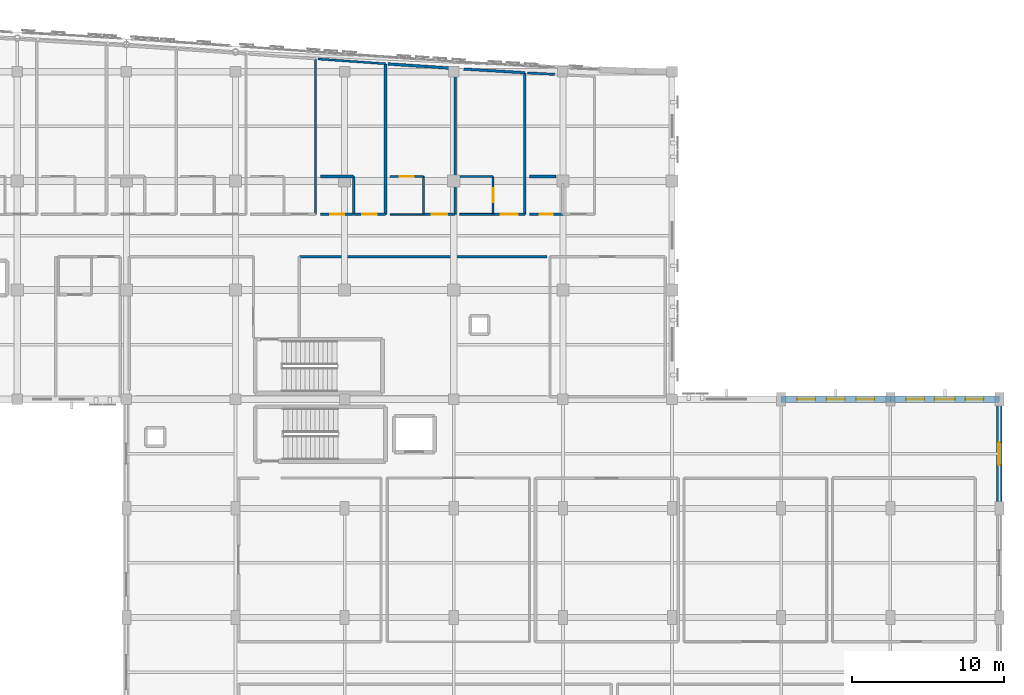
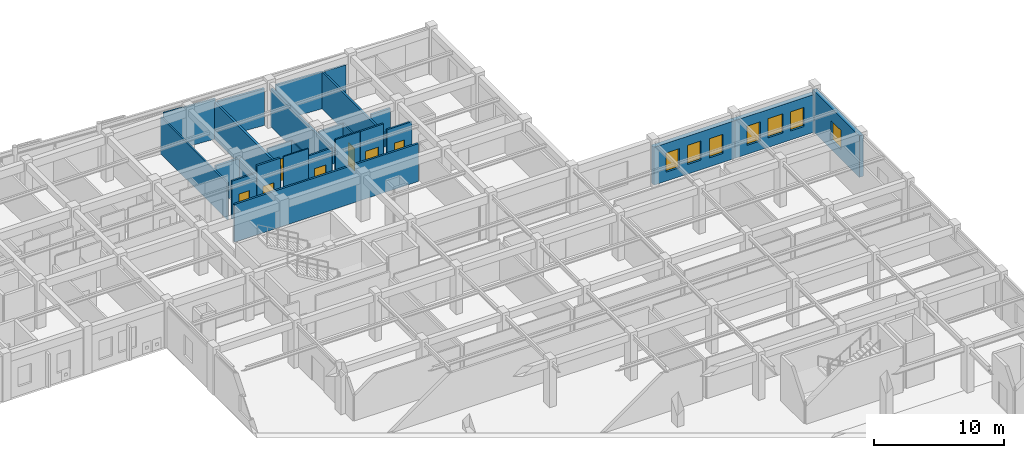
# One storey, part 88 of 106: 26 walls, 7 doors, 7 windows, 14 openings.
"""IFC4 building model written with IfcOpenShell, lengths in metres."""

from ifc_helpers import new_model, si_unit, direction, frame, frame_2d, origin, place, context, subcontext, project, spatial, rectangle, extrude, material, layer, layer_set, type_object, element, fill, save


model = new_model("IFC4")

# Units and contexts
model_context = context("Model", 3, precision=1e-05, world=origin(), true_north=direction((0.0, 1.0)))
body_context = subcontext(model_context, "Body", "Model", "MODEL_VIEW")
ifc_project = project(units=[si_unit("LENGTHUNIT", "METRE"), si_unit("AREAUNIT", "SQUARE_METRE"), si_unit("VOLUMEUNIT", "CUBIC_METRE"), si_unit("PLANEANGLEUNIT", "RADIAN"), si_unit("MASSUNIT", "GRAM", prefix="KILO")], contexts=[model_context])

# Site, building, storey
site_placement = place(None, origin())
site = spatial("IfcSite", under=ifc_project, at=site_placement, CompositionType="ELEMENT")
building_placement = place(site_placement, origin())
building = spatial("IfcBuilding", under=site, at=building_placement, Name="Carrowvane Square Congress Hotel", CompositionType="ELEMENT")
storey_placement = place(building_placement, frame((0.0, 0.0, 10.5)))
storey = spatial("IfcBuildingStorey", under=building, at=storey_placement, Name="L02", CompositionType="ELEMENT", Elevation=10.5)

# Wall, opening, window
ifc_material_1 = material(Name="Glazed terracotta rainscreen", Category="masonry")
ifc_layer_1 = layer(ifc_material_1, 0.360107421875)
ifc_layer_set_1 = layer_set([ifc_layer_1], Name="Glazed terracotta rainscreen")
wall_type_1 = type_object("IfcWallType", Name="WL-EXT-TC360", PredefinedType="STANDARD", material=ifc_layer_set_1)
wall_1_placement = place(storey_placement, frame((184.39990234375, 91.800048828125, 0.0), z_axis=(0.0, 0.0, 1.0), x_axis=(0.0, -1.0, 0.0)))
wall_1 = element("IfcWall", 1, at=wall_1_placement, inside=storey, type_object=wall_type_1, Name="L02 exterior facade wall 288", PredefinedType="STANDARD", context=body_context, shape_type="SweptSolid", body=[
    extrude(rectangle(XDim=7.199951171875, YDim=0.360107421875, at=frame_2d((3.60009765625, 0.0))), origin(), (0.0, 0.0, 1.0), 3.8984375),
])
opening_1_placement = place(wall_1_placement, frame((2.85009765625, 0.0, 0.89990234375)))
opening_1 = element("IfcOpeningElement", 2, at=opening_1_placement, cuts=wall_1, Name="Opening W-03", PredefinedType="OPENING", context=body_context, shape_type="SweptSolid", body=[
    extrude(rectangle(XDim=1.5, YDim=1.800048828125, at=frame_2d((0.75, 0.89990234375))), frame((0.0, 0.18994140625, 0.0), z_axis=(0.0, -1.0, 0.0), x_axis=(1.0, 0.0, 0.0)), (0.0, 0.0, 1.0), 0.380126953125),
])
ifc_material_2 = material(Name="Double-glazed low-E glass", Category="glass")
window_type_1 = type_object("IfcWindowType", Name="WIN-03", PartitioningType="SINGLE_PANEL", PredefinedType="WINDOW", material=ifc_material_2)
window_1_placement = place(opening_1_placement, origin())
window_1 = element("IfcWindow", 3, at=window_1_placement, inside=storey, type_object=window_type_1, Name="L02 facade window 105", OverallHeight=1.800048828125, OverallWidth=1.5, PartitioningType="SINGLE_PANEL", PredefinedType="WINDOW", context=body_context, shape_type="SweptSolid", body=[
    extrude(rectangle(XDim=1.5, YDim=1.800048828125, at=frame_2d((0.75, 0.89990234375))), frame((0.0, 0.030029296875, 0.0), z_axis=(0.0, -1.0, 0.0), x_axis=(1.0, 0.0, 0.0)), (0.0, 0.0, 1.0), 0.06005859375),
])
fill(opening_1, window_1)

# Wall, openings, windows
ifc_material_3 = material(Name="Glazed terracotta rainscreen", Category="masonry")
ifc_layer_2 = layer(ifc_material_3, 0.39990234375)
ifc_layer_set_2 = layer_set([ifc_layer_2], Name="Glazed terracotta rainscreen")
wall_type_2 = type_object("IfcWallType", Name="WL-EXT-TC400", PredefinedType="STANDARD", material=ifc_layer_set_2)
wall_2_placement = place(storey_placement, frame((170.0, 91.800048828125, 0.0), z_axis=(0.0, 0.0, 1.0), x_axis=(1.0, 0.0, 0.0)))
wall_2 = element("IfcWall", 4, at=wall_2_placement, inside=storey, type_object=wall_type_2, Name="L02 exterior facade wall 286", PredefinedType="STANDARD", context=body_context, shape_type="SweptSolid", body=[
    extrude(rectangle(XDim=7.199951171875, YDim=0.39990234375, at=frame_2d((3.60009765625, 0.0))), origin(), (0.0, 0.0, 1.0), 3.554931640625),
])
opening_2_placement = place(wall_2_placement, frame((3.0, 0.0, 0.89990234375)))
opening_2 = element("IfcOpeningElement", 5, at=opening_2_placement, cuts=wall_2, Name="Opening W-01", PredefinedType="OPENING", context=body_context, shape_type="SweptSolid", body=[
    extrude(rectangle(XDim=1.199951171875, YDim=1.800048828125, at=frame_2d((0.60009765625, 0.89990234375))), frame((0.0, 0.2099609375, 0.0), z_axis=(0.0, -1.0, 0.0), x_axis=(1.0, 0.0, 0.0)), (0.0, 0.0, 1.0), 0.419921875),
])
opening_3_placement = place(wall_2_placement, frame((1.050048828125, 0.0, 0.85009765625)))
opening_3 = element("IfcOpeningElement", 6, at=opening_3_placement, cuts=wall_2, Name="Opening W-01", PredefinedType="OPENING", context=body_context, shape_type="SweptSolid", body=[
    extrude(rectangle(XDim=1.199951171875, YDim=1.800048828125, at=frame_2d((0.60009765625, 0.89990234375))), frame((0.0, 0.2099609375, 0.0), z_axis=(0.0, -1.0, 0.0), x_axis=(1.0, 0.0, 0.0)), (0.0, 0.0, 1.0), 0.419921875),
])
opening_4_placement = place(wall_2_placement, frame((4.949951171875, 0.0, 0.85009765625)))
opening_4 = element("IfcOpeningElement", 7, at=opening_4_placement, cuts=wall_2, Name="Opening W-01", PredefinedType="OPENING", context=body_context, shape_type="SweptSolid", body=[
    extrude(rectangle(XDim=1.199951171875, YDim=1.800048828125, at=frame_2d((0.60009765625, 0.89990234375))), frame((0.0, 0.2099609375, 0.0), z_axis=(0.0, -1.0, 0.0), x_axis=(1.0, 0.0, 0.0)), (0.0, 0.0, 1.0), 0.419921875),
])
ifc_material_4 = material(Name="Double-glazed low-E glass", Category="glass")
window_type_2 = type_object("IfcWindowType", Name="WIN-01", PartitioningType="SINGLE_PANEL", PredefinedType="WINDOW", material=ifc_material_4)
window_2_placement = place(opening_2_placement, origin())
window_2 = element("IfcWindow", 8, at=window_2_placement, inside=storey, type_object=window_type_2, Name="L02 facade window 99", OverallHeight=1.800048828125, OverallWidth=1.199951171875, PartitioningType="SINGLE_PANEL", PredefinedType="WINDOW", context=body_context, shape_type="SweptSolid", body=[
    extrude(rectangle(XDim=1.199951171875, YDim=1.800048828125, at=frame_2d((0.60009765625, 0.89990234375))), frame((0.0, 0.030029296875, 0.0), z_axis=(0.0, -1.0, 0.0), x_axis=(1.0, 0.0, 0.0)), (0.0, 0.0, 1.0), 0.06005859375),
])
fill(opening_2, window_2)
window_3_placement = place(opening_3_placement, origin())
window_3 = element("IfcWindow", 9, at=window_3_placement, inside=storey, type_object=window_type_2, Name="L02 guest bedroom window 100", OverallHeight=1.800048828125, OverallWidth=1.199951171875, PartitioningType="SINGLE_PANEL", PredefinedType="WINDOW", context=body_context, shape_type="SweptSolid", body=[
    extrude(rectangle(XDim=1.199951171875, YDim=1.800048828125, at=frame_2d((0.60009765625, 0.89990234375))), frame((0.0, 0.030029296875, 0.0), z_axis=(0.0, -1.0, 0.0), x_axis=(1.0, 0.0, 0.0)), (0.0, 0.0, 1.0), 0.06005859375),
])
fill(opening_3, window_3)
window_4_placement = place(opening_4_placement, origin())
window_4 = element("IfcWindow", 10, at=window_4_placement, inside=storey, type_object=window_type_2, Name="L02 guest bedroom window 101", OverallHeight=1.800048828125, OverallWidth=1.199951171875, PartitioningType="SINGLE_PANEL", PredefinedType="WINDOW", context=body_context, shape_type="SweptSolid", body=[
    extrude(rectangle(XDim=1.199951171875, YDim=1.800048828125, at=frame_2d((0.60009765625, 0.89990234375))), frame((0.0, 0.030029296875, 0.0), z_axis=(0.0, -1.0, 0.0), x_axis=(1.0, 0.0, 0.0)), (0.0, 0.0, 1.0), 0.06005859375),
])
fill(opening_4, window_4)

wall_3_placement = place(storey_placement, frame((177.199951171875, 91.800048828125, 0.0), z_axis=(0.0, 0.0, 1.0), x_axis=(1.0, 0.0, 0.0)))
wall_3 = element("IfcWall", 11, at=wall_3_placement, inside=storey, type_object=wall_type_2, Name="L02 exterior facade wall 287", PredefinedType="STANDARD", context=body_context, shape_type="SweptSolid", body=[
    extrude(rectangle(XDim=7.199951171875, YDim=0.39990234375, at=frame_2d((3.60009765625, 0.0))), origin(), (0.0, 0.0, 1.0), 3.554931640625),
])
opening_5_placement = place(wall_3_placement, frame((2.925048828125, 0.0, 0.89990234375)))
opening_5 = element("IfcOpeningElement", 12, at=opening_5_placement, cuts=wall_3, Name="Opening W-02", PredefinedType="OPENING", context=body_context, shape_type="SweptSolid", body=[
    extrude(rectangle(XDim=1.35009765625, YDim=1.800048828125, at=frame_2d((0.675048828125, 0.89990234375))), frame((0.0, 0.2099609375, 0.0), z_axis=(0.0, -1.0, 0.0), x_axis=(1.0, 0.0, 0.0)), (0.0, 0.0, 1.0), 0.419921875),
])
opening_6_placement = place(wall_3_placement, frame((1.050048828125, 0.0, 0.85009765625)))
opening_6 = element("IfcOpeningElement", 13, at=opening_6_placement, cuts=wall_3, Name="Opening W-01", PredefinedType="OPENING", context=body_context, shape_type="SweptSolid", body=[
    extrude(rectangle(XDim=1.199951171875, YDim=1.800048828125, at=frame_2d((0.60009765625, 0.89990234375))), frame((0.0, 0.2099609375, 0.0), z_axis=(0.0, -1.0, 0.0), x_axis=(1.0, 0.0, 0.0)), (0.0, 0.0, 1.0), 0.419921875),
])
opening_7_placement = place(wall_3_placement, frame((4.949951171875, 0.0, 0.85009765625)))
opening_7 = element("IfcOpeningElement", 14, at=opening_7_placement, cuts=wall_3, Name="Opening W-01", PredefinedType="OPENING", context=body_context, shape_type="SweptSolid", body=[
    extrude(rectangle(XDim=1.199951171875, YDim=1.800048828125, at=frame_2d((0.60009765625, 0.89990234375))), frame((0.0, 0.2099609375, 0.0), z_axis=(0.0, -1.0, 0.0), x_axis=(1.0, 0.0, 0.0)), (0.0, 0.0, 1.0), 0.419921875),
])
window_5_placement = place(opening_6_placement, origin())
window_5 = element("IfcWindow", 15, at=window_5_placement, inside=storey, type_object=window_type_2, Name="L02 guest bedroom window 103", OverallHeight=1.800048828125, OverallWidth=1.199951171875, PartitioningType="SINGLE_PANEL", PredefinedType="WINDOW", context=body_context, shape_type="SweptSolid", body=[
    extrude(rectangle(XDim=1.199951171875, YDim=1.800048828125, at=frame_2d((0.60009765625, 0.89990234375))), frame((0.0, 0.030029296875, 0.0), z_axis=(0.0, -1.0, 0.0), x_axis=(1.0, 0.0, 0.0)), (0.0, 0.0, 1.0), 0.06005859375),
])
fill(opening_6, window_5)
window_6_placement = place(opening_7_placement, origin())
window_6 = element("IfcWindow", 16, at=window_6_placement, inside=storey, type_object=window_type_2, Name="L02 guest bedroom window 104", OverallHeight=1.800048828125, OverallWidth=1.199951171875, PartitioningType="SINGLE_PANEL", PredefinedType="WINDOW", context=body_context, shape_type="SweptSolid", body=[
    extrude(rectangle(XDim=1.199951171875, YDim=1.800048828125, at=frame_2d((0.60009765625, 0.89990234375))), frame((0.0, 0.030029296875, 0.0), z_axis=(0.0, -1.0, 0.0), x_axis=(1.0, 0.0, 0.0)), (0.0, 0.0, 1.0), 0.06005859375),
])
fill(opening_7, window_6)
ifc_material_5 = material(Name="Double-glazed low-E glass", Category="glass")
window_type_3 = type_object("IfcWindowType", Name="WIN-02", PartitioningType="SINGLE_PANEL", PredefinedType="WINDOW", material=ifc_material_5)
window_7_placement = place(opening_5_placement, origin())
window_7 = element("IfcWindow", 17, at=window_7_placement, inside=storey, type_object=window_type_3, Name="L02 facade window 102", OverallHeight=1.800048828125, OverallWidth=1.35009765625, PartitioningType="SINGLE_PANEL", PredefinedType="WINDOW", context=body_context, shape_type="SweptSolid", body=[
    extrude(rectangle(XDim=1.35009765625, YDim=1.800048828125, at=frame_2d((0.675048828125, 0.89990234375))), frame((0.0, 0.030029296875, 0.0), z_axis=(0.0, -1.0, 0.0), x_axis=(1.0, 0.0, 0.0)), (0.0, 0.0, 1.0), 0.06005859375),
])
fill(opening_5, window_7)

# Wall, opening, door
ifc_material_6 = material(Name="Acoustic gypsum board", Category="gypsum")
ifc_layer_3 = layer(ifc_material_6, 0.155029296875)
ifc_layer_set_3 = layer_set([ifc_layer_3], Name="Acoustic gypsum board")
wall_type_3 = type_object("IfcWallType", Name="WL-FIR-155", PredefinedType="PARTITIONING", material=ifc_layer_set_3)
wall_4_placement = place(storey_placement, frame((141.800048828125, 104.0, 0.0), z_axis=(0.0, 0.0, 1.0), x_axis=(-1.0, 0.0, 0.0)))
wall_4 = element("IfcWall", 18, at=wall_4_placement, inside=storey, type_object=wall_type_3, Name="L02 En-suite Bathroom 0220 partition", PredefinedType="PARTITIONING", context=body_context, shape_type="SweptSolid", body=[
    extrude(rectangle(XDim=2.199951171875, YDim=0.155029296875, at=frame_2d((1.10009765625, 0.0))), origin(), (0.0, 0.0, 1.0), 3.554931640625),
])
opening_8_placement = place(wall_4_placement, frame((0.635009765625, 0.0, 0.0)))
opening_8 = element("IfcOpeningElement", 19, at=opening_8_placement, cuts=wall_4, Name="Opening ID-18", PredefinedType="OPENING", context=body_context, shape_type="SweptSolid", body=[
    extrude(rectangle(XDim=0.929931640625, YDim=2.1298828125, at=frame_2d((0.46484375, 1.06494140625))), frame((0.0, 0.08740234375, 0.0), z_axis=(0.0, -1.0, 0.0), x_axis=(1.0, 0.0, 0.0)), (0.0, 0.0, 1.0), 0.175048828125),
])
ifc_material_7 = material(Name="European oak timber", Category="wood")
door_type_1 = type_object("IfcDoorType", Name="DR-INT-0930x2130", OperationType="NOTDEFINED", PredefinedType="DOOR", material=ifc_material_7)
door_1_placement = place(opening_8_placement, origin())
door_1 = element("IfcDoor", 20, at=door_1_placement, inside=storey, type_object=door_type_1, Name="L02 En-suite Bathroom 0220 door", OperationType="SINGLE_SWING_LEFT", OverallHeight=2.1298828125, OverallWidth=0.929931640625, PredefinedType="DOOR", context=body_context, shape_type="SweptSolid", body=[
    extrude(rectangle(XDim=0.929931640625, YDim=2.1298828125, at=frame_2d((0.46484375, 1.06494140625))), frame((0.0, 0.02490234375, 0.0), z_axis=(0.0, -1.0, 0.0), x_axis=(1.0, 0.0, 0.0)), (0.0, 0.0, 1.0), 0.050048828125),
])
fill(opening_8, door_1)

wall_5_placement = place(storey_placement, frame((148.489990234375, 104.0, 0.0), z_axis=(0.0, 0.0, 1.0), x_axis=(-1.0, 0.0, 0.0)))
wall_5 = element("IfcWall", 21, at=wall_5_placement, inside=storey, type_object=wall_type_3, Name="L02 Parkview Guest Bedroom 0221 partition", PredefinedType="PARTITIONING", context=body_context, shape_type="SweptSolid", body=[
    extrude(rectangle(XDim=2.080078125, YDim=0.155029296875, at=frame_2d((1.0400390625, 0.0))), origin(), (0.0, 0.0, 1.0), 3.554931640625),
])
opening_9_placement = place(wall_5_placement, frame((0.530029296875, 0.0, 0.0)))
opening_9 = element("IfcOpeningElement", 22, at=opening_9_placement, cuts=wall_5, Name="Opening FD-08", PredefinedType="OPENING", context=body_context, shape_type="SweptSolid", body=[
    extrude(rectangle(XDim=1.02001953125, YDim=2.14990234375, at=frame_2d((0.510009765625, 1.074951171875))), frame((0.0, 0.08740234375, 0.0), z_axis=(0.0, -1.0, 0.0), x_axis=(1.0, 0.0, 0.0)), (0.0, 0.0, 1.0), 0.175048828125),
])
ifc_material_8 = material(Name="European oak timber", Category="wood")
door_type_2 = type_object("IfcDoorType", Name="DR-FD30-1020x2150", OperationType="NOTDEFINED", PredefinedType="DOOR", material=ifc_material_8)
door_2_placement = place(opening_9_placement, origin())
door_2 = element("IfcDoor", 23, at=door_2_placement, inside=storey, type_object=door_type_2, Name="L02 Parkview Guest Bedroom 0221 entrance door", OperationType="SINGLE_SWING_RIGHT", OverallHeight=2.14990234375, OverallWidth=1.02001953125, PredefinedType="DOOR", context=body_context, shape_type="SweptSolid", body=[
    extrude(rectangle(XDim=1.02001953125, YDim=2.14990234375, at=frame_2d((0.510009765625, 1.074951171875))), frame((0.0, 0.02490234375, 0.0), z_axis=(0.0, -1.0, 0.0), x_axis=(1.0, 0.0, 0.0)), (0.0, 0.0, 1.0), 0.050048828125),
])
fill(opening_9, door_2)

# Wall
wall_6_placement = place(storey_placement, frame((153.090087890625, 113.337890625, 0.0), z_axis=(0.0, 0.0, 1.0), x_axis=(0.0, -1.0, 0.0)))
element("IfcWall", 24, at=wall_6_placement, inside=storey, type_object=wall_type_3, Name="L02 Parkview Guest Bedroom 0222 partition", PredefinedType="PARTITIONING", context=body_context, shape_type="SweptSolid", body=[
    extrude(rectangle(XDim=9.337890625, YDim=0.155029296875, at=frame_2d((4.6689453125, 0.0))), origin(), (0.0, 0.0, 1.0), 3.455078125),
])

# Wall, opening, door
wall_7_placement = place(storey_placement, frame((155.60009765625, 104.0, 0.0), z_axis=(0.0, 0.0, 1.0), x_axis=(-1.0, 0.0, 0.0)))
wall_7 = element("IfcWall", 25, at=wall_7_placement, inside=storey, type_object=wall_type_3, Name="L02 En-suite Bathroom 0223 partition", PredefinedType="PARTITIONING", context=body_context, shape_type="SweptSolid", body=[
    extrude(rectangle(XDim=2.2001953125, YDim=0.155029296875, at=frame_2d((1.10009765625, 0.0))), origin(), (0.0, 0.0, 1.0), 3.554931640625),
])
opening_10_placement = place(wall_7_placement, frame((0.6650390625, 0.0, 0.0)))
opening_10 = element("IfcOpeningElement", 26, at=opening_10_placement, cuts=wall_7, Name="Opening ID-15", PredefinedType="OPENING", context=body_context, shape_type="SweptSolid", body=[
    extrude(rectangle(XDim=0.8701171875, YDim=2.070068359375, at=frame_2d((0.43505859375, 1.03515625))), frame((0.0, 0.08740234375, 0.0), z_axis=(0.0, -1.0, 0.0), x_axis=(1.0, 0.0, 0.0)), (0.0, 0.0, 1.0), 0.175048828125),
])
ifc_material_9 = material(Name="European oak timber", Category="wood")
door_type_3 = type_object("IfcDoorType", Name="DR-INT-0870x2070", OperationType="NOTDEFINED", PredefinedType="DOOR", material=ifc_material_9)
door_3_placement = place(opening_10_placement, origin())
door_3 = element("IfcDoor", 27, at=door_3_placement, inside=storey, type_object=door_type_3, Name="L02 En-suite Bathroom 0223 door", OperationType="SINGLE_SWING_LEFT", OverallHeight=2.070068359375, OverallWidth=0.8701171875, PredefinedType="DOOR", context=body_context, shape_type="SweptSolid", body=[
    extrude(rectangle(XDim=0.8701171875, YDim=2.070068359375, at=frame_2d((0.43505859375, 1.03515625))), frame((0.0, 0.02490234375, 0.0), z_axis=(0.0, -1.0, 0.0), x_axis=(1.0, 0.0, 0.0)), (0.0, 0.0, 1.0), 0.050048828125),
])
fill(opening_10, door_3)

# Walls
wall_8_placement = place(storey_placement, frame((153.25, 113.32861328125, 0.0), z_axis=(0.0, 0.0, 1.0), x_axis=(0.998570186617, -0.053456359774, 0.0)))
element("IfcWall", 28, at=wall_8_placement, inside=storey, type_object=wall_type_3, Name="L02 Parkview Guest Bedroom 0223 partition", PredefinedType="PARTITIONING", context=body_context, shape_type="SweptSolid", body=[
    extrude(rectangle(XDim=1.813232421875, YDim=0.155029296875, at=frame_2d((0.90673828125, 0.0))), origin(), (0.0, 0.0, 1.0), 3.455078125),
])
ifc_material_10 = material(Name="Acoustic gypsum board", Category="gypsum")
ifc_layer_4 = layer(ifc_material_10, 0.169921875)
ifc_layer_set_4 = layer_set([ifc_layer_4], Name="Acoustic gypsum board")
wall_type_4 = type_object("IfcWallType", Name="WL-FIR-170", PredefinedType="PARTITIONING", material=ifc_layer_set_4)
wall_9_placement = place(storey_placement, frame((138.2099609375, 101.199951171875, 0.0), z_axis=(0.0, 0.0, 1.0), x_axis=(1.0, 0.0, 0.0)))
element("IfcWall", 29, at=wall_9_placement, inside=storey, type_object=wall_type_4, Name="L02 L02 East Delegate Linen and Service Room partition", PredefinedType="PARTITIONING", context=body_context, shape_type="SweptSolid", body=[
    extrude(rectangle(XDim=16.340087890625, YDim=0.169921875, at=frame_2d((8.169921875, 0.0))), origin(), (0.0, 0.0, 1.0), 3.554931640625),
])
wall_10_placement = place(storey_placement, frame((141.800048828125, 106.5, 0.0), z_axis=(0.0, 0.0, 1.0), x_axis=(0.0, -1.0, 0.0)))
element("IfcWall", 30, at=wall_10_placement, inside=storey, type_object=wall_type_4, Name="L02 En-suite Bathroom 0220 partition", PredefinedType="PARTITIONING", context=body_context, shape_type="SweptSolid", body=[
    extrude(rectangle(XDim=2.5, YDim=0.169921875, at=frame_2d((1.25, 0.0))), origin(), (0.0, 0.0, 1.0), 3.455078125),
])

# Wall, opening, door
wall_11_placement = place(storey_placement, frame((143.889892578125, 104.0, 0.0), z_axis=(0.0, 0.0, 1.0), x_axis=(-1.0, 0.0, 0.0)))
wall_11 = element("IfcWall", 31, at=wall_11_placement, inside=storey, type_object=wall_type_4, Name="L02 Parkview Guest Bedroom 0220 partition", PredefinedType="PARTITIONING", context=body_context, shape_type="SweptSolid", body=[
    extrude(rectangle(XDim=2.079833984375, YDim=0.169921875, at=frame_2d((1.0400390625, 0.0))), origin(), (0.0, 0.0, 1.0), 4.219970703125),
])
opening_11_placement = place(wall_11_placement, frame((0.56494140625, 0.0, 0.0)))
opening_11 = element("IfcOpeningElement", 32, at=opening_11_placement, cuts=wall_11, Name="Opening FD-06", PredefinedType="OPENING", context=body_context, shape_type="SweptSolid", body=[
    extrude(rectangle(XDim=0.949951171875, YDim=2.10009765625, at=frame_2d((0.47509765625, 1.050048828125))), frame((0.0, 0.094970703125, 0.0), z_axis=(0.0, -1.0, 0.0), x_axis=(1.0, 0.0, 0.0)), (0.0, 0.0, 1.0), 0.18994140625),
])
ifc_material_11 = material(Name="European oak timber", Category="wood")
door_type_4 = type_object("IfcDoorType", Name="DR-FD30-0950x2100", OperationType="NOTDEFINED", PredefinedType="DOOR", material=ifc_material_11)
door_4_placement = place(opening_11_placement, origin())
door_4 = element("IfcDoor", 33, at=door_4_placement, inside=storey, type_object=door_type_4, Name="L02 Parkview Guest Bedroom 0220 entrance door", OperationType="SINGLE_SWING_RIGHT", OverallHeight=2.10009765625, OverallWidth=0.949951171875, PredefinedType="DOOR", context=body_context, shape_type="SweptSolid", body=[
    extrude(rectangle(XDim=0.949951171875, YDim=2.10009765625, at=frame_2d((0.47509765625, 1.050048828125))), frame((0.0, 0.02490234375, 0.0), z_axis=(0.0, -1.0, 0.0), x_axis=(1.0, 0.0, 0.0)), (0.0, 0.0, 1.0), 0.050048828125),
])
fill(opening_11, door_4)

# Walls
wall_12_placement = place(storey_placement, frame((148.489990234375, 113.209716796875, 0.0), z_axis=(0.0, 0.0, 1.0), x_axis=(0.0, -1.0, 0.0)))
element("IfcWall", 34, at=wall_12_placement, inside=storey, type_object=wall_type_4, Name="L02 Parkview Guest Bedroom 0221 partition", PredefinedType="PARTITIONING", context=body_context, shape_type="SweptSolid", body=[
    extrude(rectangle(XDim=9.209716796875, YDim=0.169921875, at=frame_2d((4.60498046875, 0.0))), origin(), (0.0, 0.0, 1.0), 3.554931640625),
])
wall_13_placement = place(storey_placement, frame((149.059326171875, 113.58447265625, 0.0), z_axis=(0.0, 0.0, 1.0), x_axis=(0.998134042628, -0.0610608954, 0.0)))
element("IfcWall", 35, at=wall_13_placement, inside=storey, type_object=wall_type_4, Name="L02 Parkview Guest Bedroom 0222 partition", PredefinedType="PARTITIONING", context=body_context, shape_type="SweptSolid", body=[
    extrude(rectangle(XDim=4.038330078125, YDim=0.169921875, at=frame_2d((2.01904296875, 0.0))), origin(), (0.0, 0.0, 1.0), 3.455078125),
])
ifc_material_12 = material(Name="Acoustic gypsum board", Category="gypsum")
ifc_layer_5 = layer(ifc_material_12, 0.18505859375)
ifc_layer_set_5 = layer_set([ifc_layer_5], Name="Acoustic gypsum board")
wall_type_5 = type_object("IfcWallType", Name="WL-FIR-185", PredefinedType="PARTITIONING", material=ifc_layer_set_5)
wall_14_placement = place(storey_placement, frame((139.60009765625, 106.5, 0.0), z_axis=(0.0, 0.0, 1.0), x_axis=(1.0, 0.0, 0.0)))
element("IfcWall", 36, at=wall_14_placement, inside=storey, type_object=wall_type_5, Name="L02 En-suite Bathroom 0220 partition", PredefinedType="PARTITIONING", context=body_context, shape_type="SweptSolid", body=[
    extrude(rectangle(XDim=2.199951171875, YDim=0.18505859375, at=frame_2d((1.10009765625, 0.0))), origin(), (0.0, 0.0, 1.0), 3.455078125),
])
wall_15_placement = place(storey_placement, frame((143.889892578125, 113.931396484375, 0.0), z_axis=(0.0, 0.0, 1.0), x_axis=(0.0, -1.0, 0.0)))
element("IfcWall", 37, at=wall_15_placement, inside=storey, type_object=wall_type_5, Name="L02 Parkview Guest Bedroom 0220 partition", PredefinedType="PARTITIONING", context=body_context, shape_type="SweptSolid", body=[
    extrude(rectangle(XDim=9.931396484375, YDim=0.18505859375, at=frame_2d((4.9658203125, 0.0))), origin(), (0.0, 0.0, 1.0), 3.455078125),
])
wall_16_placement = place(storey_placement, frame((144.050048828125, 113.92041015625, 0.0), z_axis=(0.0, 0.0, 1.0), x_axis=(0.997715366376, -0.067557736031, 0.0)))
element("IfcWall", 38, at=wall_16_placement, inside=storey, type_object=wall_type_5, Name="L02 Parkview Guest Bedroom 0221 partition", PredefinedType="PARTITIONING", context=body_context, shape_type="SweptSolid", body=[
    extrude(rectangle(XDim=4.040283203125, YDim=0.18505859375, at=frame_2d((2.02001953125, 0.0))), origin(), (0.0, 0.0, 1.0), 3.455078125),
])
wall_17_placement = place(storey_placement, frame((153.39990234375, 106.5, 0.0), z_axis=(0.0, 0.0, 1.0), x_axis=(1.0, 0.0, 0.0)))
element("IfcWall", 39, at=wall_17_placement, inside=storey, type_object=wall_type_5, Name="L02 En-suite Bathroom 0223 partition", PredefinedType="PARTITIONING", context=body_context, shape_type="SweptSolid", body=[
    extrude(rectangle(XDim=1.739990234375, YDim=0.18505859375, at=frame_2d((0.8701171875, 0.0))), origin(), (0.0, 0.0, 1.0), 3.455078125),
])
ifc_material_13 = material(Name="Acoustic gypsum board", Category="gypsum")
ifc_layer_6 = layer(ifc_material_13, 0.097900390625)
ifc_layer_set_6 = layer_set([ifc_layer_6], Name="Acoustic gypsum board")
wall_type_6 = type_object("IfcWallType", Name="WL-PRT-098", PredefinedType="PARTITIONING", material=ifc_layer_set_6)
wall_18_placement = place(storey_placement, frame((146.39990234375, 104.0, 0.0), z_axis=(0.0, 0.0, 1.0), x_axis=(-1.0, 0.0, 0.0)))
element("IfcWall", 40, at=wall_18_placement, inside=storey, type_object=wall_type_6, Name="L02 En-suite Bathroom 0221 partition", PredefinedType="PARTITIONING", context=body_context, shape_type="SweptSolid", body=[
    extrude(rectangle(XDim=2.199951171875, YDim=0.097900390625, at=frame_2d((1.10009765625, 0.0))), origin(), (0.0, 0.0, 1.0), 4.219970703125),
])
ifc_material_14 = material(Name="Acoustic gypsum board", Category="gypsum")
ifc_layer_7 = layer(ifc_material_14, 0.10791015625)
ifc_layer_set_7 = layer_set([ifc_layer_7], Name="Acoustic gypsum board")
wall_type_7 = type_object("IfcWallType", Name="WL-PRT-108", PredefinedType="PARTITIONING", material=ifc_layer_set_7)
wall_19_placement = place(storey_placement, frame((146.39990234375, 106.5, 0.0), z_axis=(0.0, 0.0, 1.0), x_axis=(0.0, -1.0, 0.0)))
element("IfcWall", 41, at=wall_19_placement, inside=storey, type_object=wall_type_7, Name="L02 En-suite Bathroom 0221 partition", PredefinedType="PARTITIONING", context=body_context, shape_type="SweptSolid", body=[
    extrude(rectangle(XDim=2.5, YDim=0.10791015625, at=frame_2d((1.25, 0.0))), origin(), (0.0, 0.0, 1.0), 3.455078125),
])

# Wall, opening, door
ifc_material_15 = material(Name="Acoustic gypsum board", Category="gypsum")
ifc_layer_8 = layer(ifc_material_15, 0.117919921875)
ifc_layer_set_8 = layer_set([ifc_layer_8], Name="Acoustic gypsum board")
wall_type_8 = type_object("IfcWallType", Name="WL-PRT-118", PredefinedType="PARTITIONING", material=ifc_layer_set_8)
wall_20_placement = place(storey_placement, frame((144.199951171875, 106.5, 0.0), z_axis=(0.0, 0.0, 1.0), x_axis=(1.0, 0.0, 0.0)))
wall_20 = element("IfcWall", 42, at=wall_20_placement, inside=storey, type_object=wall_type_8, Name="L02 En-suite Bathroom 0221 partition", PredefinedType="PARTITIONING", context=body_context, shape_type="SweptSolid", body=[
    extrude(rectangle(XDim=2.199951171875, YDim=0.117919921875, at=frame_2d((1.10009765625, 0.0))), origin(), (0.0, 0.0, 1.0), 3.455078125),
])
opening_12_placement = place(wall_20_placement, frame((0.64990234375, 0.0, 0.0)))
opening_12 = element("IfcOpeningElement", 43, at=opening_12_placement, cuts=wall_20, Name="Opening ID-02", PredefinedType="OPENING", context=body_context, shape_type="SweptSolid", body=[
    extrude(rectangle(XDim=0.89990234375, YDim=2.080078125, at=frame_2d((0.449951171875, 1.0400390625))), frame((0.0, 0.06884765625, 0.0), z_axis=(0.0, -1.0, 0.0), x_axis=(1.0, 0.0, 0.0)), (0.0, 0.0, 1.0), 0.137939453125),
])
ifc_material_16 = material(Name="European oak timber", Category="wood")
door_type_5 = type_object("IfcDoorType", Name="DR-INT-0900x2080", OperationType="NOTDEFINED", PredefinedType="DOOR", material=ifc_material_16)
door_5_placement = place(opening_12_placement, origin())
door_5 = element("IfcDoor", 44, at=door_5_placement, inside=storey, type_object=door_type_5, Name="L02 En-suite Bathroom 0221 door", OperationType="SINGLE_SWING_LEFT", OverallHeight=2.080078125, OverallWidth=0.89990234375, PredefinedType="DOOR", context=body_context, shape_type="SweptSolid", body=[
    extrude(rectangle(XDim=0.89990234375, YDim=2.080078125, at=frame_2d((0.449951171875, 1.0400390625))), frame((0.0, 0.02490234375, 0.0), z_axis=(0.0, -1.0, 0.0), x_axis=(1.0, 0.0, 0.0)), (0.0, 0.0, 1.0), 0.050048828125),
])
fill(opening_12, door_5)

# Walls
ifc_material_17 = material(Name="Acoustic gypsum board", Category="gypsum")
ifc_layer_9 = layer(ifc_material_17, 0.1279296875)
ifc_layer_set_9 = layer_set([ifc_layer_9], Name="Acoustic gypsum board")
wall_type_9 = type_object("IfcWallType", Name="WL-PRT-128", PredefinedType="PARTITIONING", material=ifc_layer_set_9)
wall_21_placement = place(storey_placement, frame((151.0, 104.0, 0.0), z_axis=(0.0, 0.0, 1.0), x_axis=(-1.0, 0.0, 0.0)))
element("IfcWall", 45, at=wall_21_placement, inside=storey, type_object=wall_type_9, Name="L02 En-suite Bathroom 0222 partition", PredefinedType="PARTITIONING", context=body_context, shape_type="SweptSolid", body=[
    extrude(rectangle(XDim=2.199951171875, YDim=0.1279296875, at=frame_2d((1.10009765625, 0.0))), origin(), (0.0, 0.0, 1.0), 4.219970703125),
])
ifc_material_18 = material(Name="Acoustic gypsum board", Category="gypsum")
ifc_layer_10 = layer(ifc_material_18, 0.137939453125)
ifc_layer_set_10 = layer_set([ifc_layer_10], Name="Acoustic gypsum board")
wall_type_10 = type_object("IfcWallType", Name="WL-PRT-138", PredefinedType="PARTITIONING", material=ifc_layer_set_10)
wall_22_placement = place(storey_placement, frame((139.2900390625, 114.258056640625, 0.0), z_axis=(0.0, 0.0, 1.0), x_axis=(0.0, -1.0, 0.0)))
element("IfcWall", 46, at=wall_22_placement, inside=storey, type_object=wall_type_10, Name="L02 Parkview Guest Bedroom 0219 partition", PredefinedType="PARTITIONING", context=body_context, shape_type="SweptSolid", body=[
    extrude(rectangle(XDim=10.258056640625, YDim=0.137939453125, at=frame_2d((5.12890625, 0.0))), origin(), (0.0, 0.0, 1.0), 3.455078125),
])
wall_23_placement = place(storey_placement, frame((139.449951171875, 114.24658203125, 0.0), z_axis=(0.0, 0.0, 1.0), x_axis=(0.997489787664, -0.070810475964, 0.0)))
element("IfcWall", 47, at=wall_23_placement, inside=storey, type_object=wall_type_10, Name="L02 Parkview Guest Bedroom 0220 partition", PredefinedType="PARTITIONING", context=body_context, shape_type="SweptSolid", body=[
    extrude(rectangle(XDim=4.451171875, YDim=0.137939453125, at=frame_2d((2.2255859375, 0.0))), origin(), (0.0, 0.0, 1.0), 3.795654296875),
])

# Wall, opening, door
wall_24_placement = place(storey_placement, frame((151.0, 106.5, 0.0), z_axis=(0.0, 0.0, 1.0), x_axis=(0.0, -1.0, 0.0)))
wall_24 = element("IfcWall", 48, at=wall_24_placement, inside=storey, type_object=wall_type_10, Name="L02 En-suite Bathroom 0222 partition", PredefinedType="PARTITIONING", context=body_context, shape_type="SweptSolid", body=[
    extrude(rectangle(XDim=2.5, YDim=0.137939453125, at=frame_2d((1.25, 0.0))), origin(), (0.0, 0.0, 1.0), 3.455078125),
])
opening_13_placement = place(wall_24_placement, frame((0.780029296875, 0.0, 0.0)))
opening_13 = element("IfcOpeningElement", 49, at=opening_13_placement, cuts=wall_24, Name="Opening ID-04", PredefinedType="OPENING", context=body_context, shape_type="SweptSolid", body=[
    extrude(rectangle(XDim=0.93994140625, YDim=2.1201171875, at=frame_2d((0.469970703125, 1.06005859375))), frame((0.0, 0.078857421875, 0.0), z_axis=(0.0, -1.0, 0.0), x_axis=(1.0, 0.0, 0.0)), (0.0, 0.0, 1.0), 0.157958984375),
])
ifc_material_19 = material(Name="European oak timber", Category="wood")
door_type_6 = type_object("IfcDoorType", Name="DR-INT-0940x2120", OperationType="NOTDEFINED", PredefinedType="DOOR", material=ifc_material_19)
door_6_placement = place(opening_13_placement, origin())
door_6 = element("IfcDoor", 50, at=door_6_placement, inside=storey, type_object=door_type_6, Name="L02 En-suite Bathroom 0222 door", OperationType="SINGLE_SWING_LEFT", OverallHeight=2.1201171875, OverallWidth=0.93994140625, PredefinedType="DOOR", context=body_context, shape_type="SweptSolid", body=[
    extrude(rectangle(XDim=0.93994140625, YDim=2.1201171875, at=frame_2d((0.469970703125, 1.06005859375))), frame((0.0, 0.02490234375, 0.0), z_axis=(0.0, -1.0, 0.0), x_axis=(1.0, 0.0, 0.0)), (0.0, 0.0, 1.0), 0.050048828125),
])
fill(opening_13, door_6)

# Wall
ifc_material_20 = material(Name="Acoustic gypsum board", Category="gypsum")
ifc_layer_11 = layer(ifc_material_20, 0.14794921875)
ifc_layer_set_11 = layer_set([ifc_layer_11], Name="Acoustic gypsum board")
wall_type_11 = type_object("IfcWallType", Name="WL-PRT-148", PredefinedType="PARTITIONING", material=ifc_layer_set_11)
wall_25_placement = place(storey_placement, frame((148.800048828125, 106.5, 0.0), z_axis=(0.0, 0.0, 1.0), x_axis=(1.0, 0.0, 0.0)))
element("IfcWall", 51, at=wall_25_placement, inside=storey, type_object=wall_type_11, Name="L02 En-suite Bathroom 0222 partition", PredefinedType="PARTITIONING", context=body_context, shape_type="SweptSolid", body=[
    extrude(rectangle(XDim=2.199951171875, YDim=0.14794921875, at=frame_2d((1.10009765625, 0.0))), origin(), (0.0, 0.0, 1.0), 3.455078125),
])

# Wall, opening, door
wall_26_placement = place(storey_placement, frame((153.090087890625, 104.0, 0.0), z_axis=(0.0, 0.0, 1.0), x_axis=(-1.0, 0.0, 0.0)))
wall_26 = element("IfcWall", 52, at=wall_26_placement, inside=storey, type_object=wall_type_11, Name="L02 Parkview Guest Bedroom 0222 partition", PredefinedType="PARTITIONING", context=body_context, shape_type="SweptSolid", body=[
    extrude(rectangle(XDim=2.080078125, YDim=0.14794921875, at=frame_2d((1.0400390625, 0.0))), origin(), (0.0, 0.0, 1.0), 4.219970703125),
])
opening_14_placement = place(wall_26_placement, frame((0.47998046875, 0.0, 0.0)))
opening_14 = element("IfcOpeningElement", 53, at=opening_14_placement, cuts=wall_26, Name="Opening FD-10", PredefinedType="OPENING", context=body_context, shape_type="SweptSolid", body=[
    extrude(rectangle(XDim=1.1201171875, YDim=2.199951171875, at=frame_2d((0.56005859375, 1.10009765625))), frame((0.0, 0.083984375, 0.0), z_axis=(0.0, -1.0, 0.0), x_axis=(1.0, 0.0, 0.0)), (0.0, 0.0, 1.0), 0.16796875),
])
ifc_material_21 = material(Name="European oak timber", Category="wood")
door_type_7 = type_object("IfcDoorType", Name="DR-FD30-1120x2200", OperationType="NOTDEFINED", PredefinedType="DOOR", material=ifc_material_21)
door_7_placement = place(opening_14_placement, origin())
door_7 = element("IfcDoor", 54, at=door_7_placement, inside=storey, type_object=door_type_7, Name="L02 Parkview Guest Bedroom 0222 entrance door", OperationType="SINGLE_SWING_RIGHT", OverallHeight=2.199951171875, OverallWidth=1.1201171875, PredefinedType="DOOR", context=body_context, shape_type="SweptSolid", body=[
    extrude(rectangle(XDim=1.1201171875, YDim=2.199951171875, at=frame_2d((0.56005859375, 1.10009765625))), frame((0.0, 0.02490234375, 0.0), z_axis=(0.0, -1.0, 0.0), x_axis=(1.0, 0.0, 0.0)), (0.0, 0.0, 1.0), 0.050048828125),
])
fill(opening_14, door_7)

save(model, "model.ifc")
